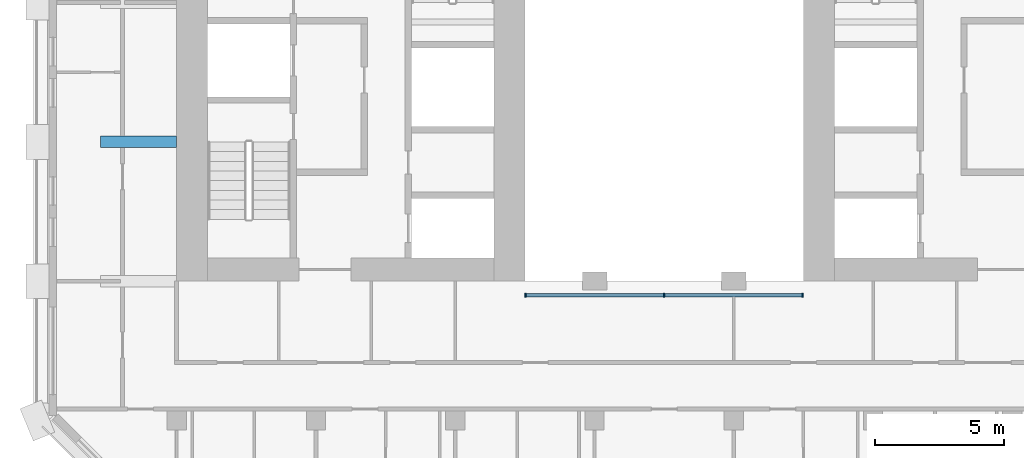
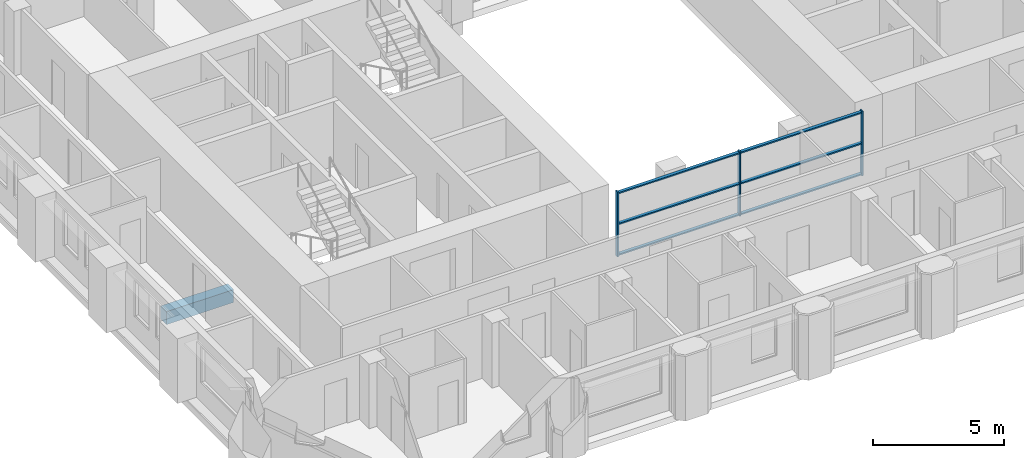
# One storey, part 2 of 14: 9 members, 1 beam, 1 element without a shape of its own.
"""IFC4 building model written with IfcOpenShell, lengths in metres."""

from ifc_helpers import new_model, si_unit, direction, frame, origin, origin_2d, place, context, subcontext, project, spatial, rectangle, extrude, material, material_profile, profile_set, type_object, element, aggregate, save


model = new_model("IFC4")

# Units and contexts
model_context = context("Model", 3, precision=1e-05, world=origin(), true_north=direction((0.0, 1.0)))
body_context = subcontext(model_context, "Body", "Model", "MODEL_VIEW")
ifc_project = project(units=[si_unit("LENGTHUNIT", "METRE"), si_unit("AREAUNIT", "SQUARE_METRE"), si_unit("VOLUMEUNIT", "CUBIC_METRE"), si_unit("PLANEANGLEUNIT", "RADIAN"), si_unit("MASSUNIT", "GRAM", prefix="KILO")], contexts=[model_context])

# Site, building, storey
site_placement = place(None, origin())
site = spatial("IfcSite", under=ifc_project, at=site_placement, CompositionType="ELEMENT")
building_placement = place(site_placement, origin())
building = spatial("IfcBuilding", under=site, at=building_placement, Name="Tabaq Tower and Sports Hall", CompositionType="ELEMENT")
storey_placement = place(building_placement, frame((0.0, 0.0, 217.0)))
storey = spatial("IfcBuildingStorey", under=building, at=storey_placement, Name="L54", CompositionType="ELEMENT", Elevation=217.0)

# Curtain wall, members
ifc_material_1 = material(Name="Aluminium alloy 6063-T6 framed glazing", Category="aluminium")
curtain_wall_type = type_object("IfcCurtainWallType", Name="CW1 curtain wall", PredefinedType="USERDEFINED", material=ifc_material_1)
curtain_wall_placement = place(storey_placement, origin())
curtain_wall = element("IfcCurtainWall", 1, at=curtain_wall_placement, inside=storey, type_object=curtain_wall_type, Name="Atrium glazing L54 S", ObjectType="ATRIUM ENCLOSURE", PredefinedType="USERDEFINED")
ifc_material_2 = material(Name="Aluminium alloy 6063-T6", Category="aluminium")
ifc_material_profile_1 = material_profile(ifc_material_2, rectangle(XDim=0.159912109375, YDim=0.06005859375, at=origin_2d()), Name="MULLION 160x60")
ifc_profile_set_1 = profile_set([ifc_material_profile_1], Name="Aluminium alloy 6063-T6")
member_type_1 = type_object("IfcMemberType", Name="CW1 mullion 160x60", PredefinedType="MULLION", material=ifc_profile_set_1)
member_1_placement = place(storey_placement, frame((18.929931640625, 15.64990234375, 0.0), z_axis=(0.0, 0.0, 1.0), x_axis=(0.0, 1.0, 0.0)))
member_1 = element("IfcMember", 2, at=member_1_placement, type_object=member_type_1, Name="CW1 mullion 1", PredefinedType="MULLION", context=body_context, shape_type="SweptSolid", body=[
    extrude(rectangle(XDim=0.159912109375, YDim=0.06005859375, at=origin_2d()), origin(), (0.0, 0.0, 1.0), 3.0),
])
member_2_placement = place(storey_placement, frame((24.300048828125, 15.64990234375, 0.0), z_axis=(0.0, 0.0, 1.0), x_axis=(0.0, 1.0, 0.0)))
member_2 = element("IfcMember", 3, at=member_2_placement, type_object=member_type_1, Name="CW1 mullion 2", PredefinedType="MULLION", context=body_context, shape_type="SweptSolid", body=[
    extrude(rectangle(XDim=0.159912109375, YDim=0.06005859375, at=origin_2d()), origin(), (0.0, 0.0, 1.0), 3.0),
])
member_3_placement = place(storey_placement, frame((29.669921875, 15.64990234375, 0.0), z_axis=(0.0, 0.0, 1.0), x_axis=(0.0, 1.0, 0.0)))
member_3 = element("IfcMember", 4, at=member_3_placement, type_object=member_type_1, Name="CW1 mullion 3", PredefinedType="MULLION", context=body_context, shape_type="SweptSolid", body=[
    extrude(rectangle(XDim=0.159912109375, YDim=0.06005859375, at=origin_2d()), origin(), (0.0, 0.0, 1.0), 3.0),
])
ifc_material_3 = material(Name="Aluminium alloy 6063-T6", Category="aluminium")
ifc_material_profile_2 = material_profile(ifc_material_3, rectangle(XDim=0.139892578125, YDim=0.06005859375, at=origin_2d()), Name="TRANSOM 140x60")
ifc_profile_set_2 = profile_set([ifc_material_profile_2], Name="Aluminium alloy 6063-T6")
member_type_2 = type_object("IfcMemberType", Name="CW1 transom 140x60", PredefinedType="USERDEFINED", material=ifc_profile_set_2)
member_4_placement = place(storey_placement, frame((18.9599609375, 15.64990234375, 0.070068359375), z_axis=(1.0, 0.0, 0.0), x_axis=(0.0, 1.0, 0.0)))
member_4 = element("IfcMember", 5, at=member_4_placement, type_object=member_type_2, Name="CW1 transom 1.1", ObjectType="TRANSOM", PredefinedType="USERDEFINED", context=body_context, shape_type="SweptSolid", body=[
    extrude(rectangle(XDim=0.139892578125, YDim=0.06005859375, at=origin_2d()), origin(), (0.0, 0.0, 1.0), 5.31005859375),
])
member_5_placement = place(storey_placement, frame((18.9599609375, 15.64990234375, 1.5), z_axis=(1.0, 0.0, 0.0), x_axis=(0.0, 1.0, 0.0)))
member_5 = element("IfcMember", 6, at=member_5_placement, type_object=member_type_2, Name="CW1 transom 1.2", ObjectType="TRANSOM", PredefinedType="USERDEFINED", context=body_context, shape_type="SweptSolid", body=[
    extrude(rectangle(XDim=0.139892578125, YDim=0.06005859375, at=origin_2d()), origin(), (0.0, 0.0, 1.0), 5.31005859375),
])
member_6_placement = place(storey_placement, frame((18.9599609375, 15.64990234375, 2.929931640625), z_axis=(1.0, 0.0, 0.0), x_axis=(0.0, 1.0, 0.0)))
member_6 = element("IfcMember", 7, at=member_6_placement, type_object=member_type_2, Name="CW1 transom 1.3", ObjectType="TRANSOM", PredefinedType="USERDEFINED", context=body_context, shape_type="SweptSolid", body=[
    extrude(rectangle(XDim=0.139892578125, YDim=0.06005859375, at=origin_2d()), origin(), (0.0, 0.0, 1.0), 5.31005859375),
])
member_7_placement = place(storey_placement, frame((24.330078125, 15.64990234375, 0.070068359375), z_axis=(1.0, 0.0, 0.0), x_axis=(0.0, 1.0, 0.0)))
member_7 = element("IfcMember", 8, at=member_7_placement, type_object=member_type_2, Name="CW1 transom 2.1", ObjectType="TRANSOM", PredefinedType="USERDEFINED", context=body_context, shape_type="SweptSolid", body=[
    extrude(rectangle(XDim=0.139892578125, YDim=0.06005859375, at=origin_2d()), origin(), (0.0, 0.0, 1.0), 5.309814453125),
])
member_8_placement = place(storey_placement, frame((24.330078125, 15.64990234375, 1.5), z_axis=(1.0, 0.0, 0.0), x_axis=(0.0, 1.0, 0.0)))
member_8 = element("IfcMember", 9, at=member_8_placement, type_object=member_type_2, Name="CW1 transom 2.2", ObjectType="TRANSOM", PredefinedType="USERDEFINED", context=body_context, shape_type="SweptSolid", body=[
    extrude(rectangle(XDim=0.139892578125, YDim=0.06005859375, at=origin_2d()), origin(), (0.0, 0.0, 1.0), 5.309814453125),
])
member_9_placement = place(storey_placement, frame((24.330078125, 15.64990234375, 2.929931640625), z_axis=(1.0, 0.0, 0.0), x_axis=(0.0, 1.0, 0.0)))
member_9 = element("IfcMember", 10, at=member_9_placement, type_object=member_type_2, Name="CW1 transom 2.3", ObjectType="TRANSOM", PredefinedType="USERDEFINED", context=body_context, shape_type="SweptSolid", body=[
    extrude(rectangle(XDim=0.139892578125, YDim=0.06005859375, at=origin_2d()), origin(), (0.0, 0.0, 1.0), 5.309814453125),
])
aggregate(curtain_wall, [member_1, member_2, member_3, member_4, member_5, member_6, member_7, member_8, member_9])

# Beam
ifc_material_4 = material(Name="Concrete C40/50", Category="concrete")
ifc_material_profile_3 = material_profile(ifc_material_4, rectangle(XDim=0.449951171875, YDim=0.60009765625, at=origin_2d()), Name="CB 450x600")
ifc_profile_set_3 = profile_set([ifc_material_profile_3], Name="Concrete C40/50")
beam_type = type_object("IfcBeamType", Name="PT CANTILEVER BEAM CB 450x600 C40/50", PredefinedType="BEAM", material=ifc_profile_set_3)
beam_placement = place(storey_placement, frame((2.449951171875, 21.60009765625, -0.60009765625), z_axis=(1.0, 0.0, 0.0), x_axis=(0.0, 1.0, 0.0)))
element("IfcBeam", 11, at=beam_placement, inside=storey, type_object=beam_type, Name="Cantilever Beam L54 W4 span 1", PredefinedType="BEAM", context=body_context, shape_type="SweptSolid", body=[
    extrude(rectangle(XDim=0.449951171875, YDim=0.60009765625, at=origin_2d()), origin(), (0.0, 0.0, 1.0), 2.949951171875),
])

save(model, "model.ifc")
